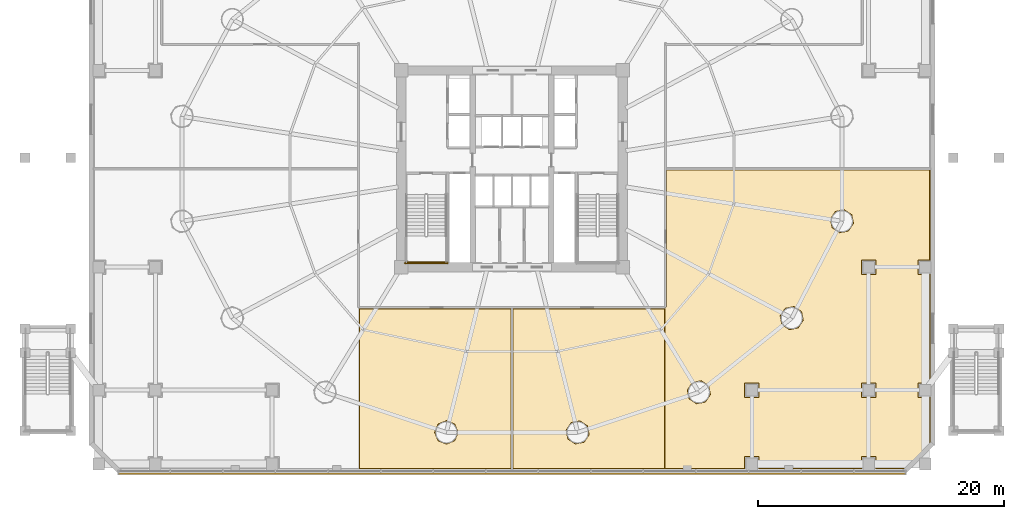
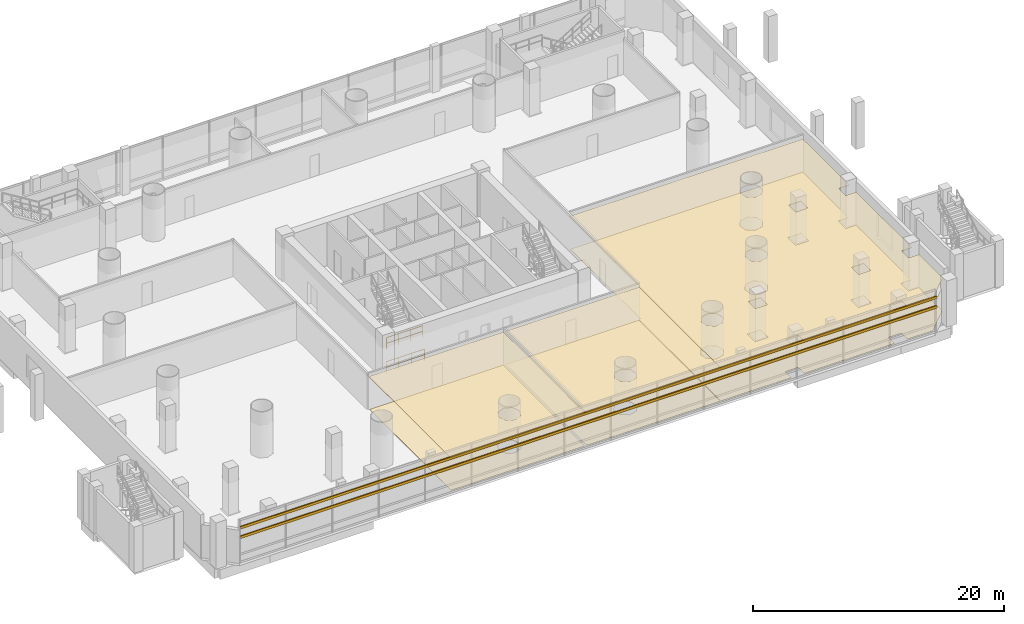
# One storey, part 28 of 36: 6 coverings, 2 railings, 2 shading devices.
"""IFC4 building model written with IfcOpenShell, lengths in metres."""

from ifc_helpers import new_model, si_unit, direction, frame, origin, origin_2d, place, context, subcontext, project, spatial, polyline, rectangle, hollow_rectangle, outline, extrude, source, transform, mapped, material, layer, layer_set, material_profile, profile_set, type_object, element, save


model = new_model("IFC4")

# Units and contexts
model_context = context("Model", 3, precision=1e-05, world=origin(), true_north=direction((-0.2419218956, 0.970295726276)))
body_context = subcontext(model_context, "Body", "Model", "MODEL_VIEW")
ifc_project = project(units=[si_unit("LENGTHUNIT", "METRE"), si_unit("AREAUNIT", "SQUARE_METRE"), si_unit("VOLUMEUNIT", "CUBIC_METRE"), si_unit("PLANEANGLEUNIT", "RADIAN"), si_unit("MASSUNIT", "GRAM", prefix="KILO")], contexts=[model_context])

# Site, building, storey
site_placement = place(None, origin())
site = spatial("IfcSite", under=ifc_project, at=site_placement, CompositionType="ELEMENT")
building_placement = place(site_placement, origin())
building = spatial("IfcBuilding", under=site, at=building_placement, Name="Cobrevalo Terracotta Tower", CompositionType="ELEMENT")
storey_placement = place(building_placement, frame((0.0, 0.0, 9.89990234375)))
storey = spatial("IfcBuildingStorey", under=building, at=storey_placement, Name="L02", CompositionType="ELEMENT", Elevation=9.89990234375)

# Coverings
ifc_material_1 = material(Name="Honed terracotta and granite tile", Category="masonry")
ifc_layer_1 = layer(ifc_material_1, 0.034912109375)
ifc_layer_set_1 = layer_set([ifc_layer_1], Name="Honed terracotta and granite tile")
covering_type_1 = type_object("IfcCoveringType", Name="Honed Terracotta & Granite Interior Flooring 35", PredefinedType="FLOORING", material=ifc_layer_set_1)
covering_1_placement = place(storey_placement, origin())
element("IfcCovering", 1, at=covering_1_placement, inside=storey, type_object=covering_type_1, Name="L02 Architecture Library floor finish", PredefinedType="FLOORING", context=body_context, shape_type="SweptSolid", body=[
    extrude(outline(polyline([(69.921630859375, 2.43994140625), (67.60009765625, 2.43994140625), (67.60009765625, 3.39990234375), (66.39990234375, 3.39990234375), (66.39990234375, 2.43994140625), (58.10009765625, 2.43994140625), (58.10009765625, 3.39990234375), (56.89990234375, 3.39990234375), (56.89990234375, 2.43994140625), (50.419921875, 2.43994140625), (50.419921875, 15.423583984375), (50.580078125, 15.59814453125), (50.580078125, 26.699951171875), (71.9599609375, 26.699951171875), (71.9599609375, 19.39990234375), (71.0, 19.39990234375), (71.0, 18.199951171875), (71.9599609375, 18.199951171875), (71.9599609375, 9.39990234375), (71.0, 9.39990234375), (71.0, 8.199951171875), (71.9599609375, 8.199951171875), (71.9599609375, 4.478271484375), (69.921630859375, 2.43994140625)]), holes=[polyline([(66.39990234375, 9.39990234375), (66.39990234375, 8.199951171875), (67.60009765625, 8.199951171875), (67.60009765625, 9.39990234375), (66.39990234375, 9.39990234375)]), polyline([(66.39990234375, 19.39990234375), (66.39990234375, 18.199951171875), (67.60009765625, 18.199951171875), (67.60009765625, 19.39990234375), (66.39990234375, 19.39990234375)]), polyline([(65.35791015625, 21.739013671875), (65.76611328125, 22.349853515625), (65.622802734375, 23.07080078125), (65.01171875, 23.47900390625), (64.291015625, 23.33544921875), (63.8828125, 22.724609375), (64.026123046875, 22.00390625), (64.63720703125, 21.595703125), (65.35791015625, 21.739013671875)]), polyline([(61.274169921875, 13.862548828125), (61.682373046875, 14.473388671875), (61.5390625, 15.194091796875), (60.927978515625, 15.6025390625), (60.207275390625, 15.458984375), (59.799072265625, 14.84814453125), (59.9423828125, 14.12744140625), (60.553466796875, 13.71923828125), (61.274169921875, 13.862548828125)]), polyline([(56.89990234375, 9.39990234375), (56.89990234375, 8.199951171875), (58.10009765625, 8.199951171875), (58.10009765625, 9.39990234375), (56.89990234375, 9.39990234375)]), polyline([(53.728271484375, 7.833984375), (54.136474609375, 8.445068359375), (53.9931640625, 9.165771484375), (53.382080078125, 9.573974609375), (52.661376953125, 9.4306640625), (52.253173828125, 8.819580078125), (52.396484375, 8.098876953125), (53.007568359375, 7.690673828125), (53.728271484375, 7.833984375)])]), origin(), (0.0, 0.0, 1.0), 0.030029296875),
])
covering_2_placement = place(storey_placement, origin())
element("IfcCovering", 2, at=covering_2_placement, inside=storey, type_object=covering_type_1, Name="L02 Business Lounge floor finish", PredefinedType="FLOORING", context=body_context, shape_type="SweptSolid", body=[
    extrude(outline(polyline([(25.6201171875, 15.419921875), (37.89990234375, 15.419921875), (37.89990234375, 2.43994140625), (25.6201171875, 2.43994140625), (25.6201171875, 15.419921875)]), holes=[polyline([(33.34326171875, 4.69091796875), (33.624267578125, 5.369873046875), (33.34326171875, 6.048828125), (32.664306640625, 6.329833984375), (31.9853515625, 6.048828125), (31.7041015625, 5.369873046875), (31.9853515625, 4.69091796875), (32.664306640625, 4.40966796875), (33.34326171875, 4.69091796875)])]), origin(), (0.0, 0.0, 1.0), 0.030029296875),
])
covering_3_placement = place(storey_placement, origin())
element("IfcCovering", 3, at=covering_3_placement, inside=storey, type_object=covering_type_1, Name="L02 Archive Copy Room floor finish", PredefinedType="FLOORING", context=body_context, shape_type="SweptSolid", body=[
    extrude(outline(polyline([(38.10009765625, 15.419921875), (50.3798828125, 15.419921875), (50.3798828125, 2.43994140625), (38.10009765625, 2.43994140625), (38.10009765625, 15.419921875)]), holes=[polyline([(43.869140625, 4.571533203125), (44.27734375, 5.1826171875), (44.134033203125, 5.9033203125), (43.52294921875, 6.3115234375), (42.80224609375, 6.168212890625), (42.39404296875, 5.55712890625), (42.537353515625, 4.83642578125), (43.1484375, 4.42822265625), (43.869140625, 4.571533203125)])]), origin(), (0.0, 0.0, 1.0), 0.030029296875),
])
ifc_material_2 = material(Name="Acoustic perforated gypsum ceiling", Category="gypsum")
ifc_layer_2 = layer(ifc_material_2, 0.050048828125)
ifc_layer_set_2 = layer_set([ifc_layer_2], Name="Acoustic perforated gypsum ceiling")
covering_type_2 = type_object("IfcCoveringType", Name="Perforated Acoustic Gypsum Ceiling 50", PredefinedType="CEILING", material=ifc_layer_set_2)
covering_4_placement = place(storey_placement, frame((0.0, 0.0, 3.16015625)))
element("IfcCovering", 4, at=covering_4_placement, inside=storey, type_object=covering_type_2, Name="L02 Architecture Library acoustic ceiling", PredefinedType="CEILING", context=body_context, shape_type="SweptSolid", body=[
    extrude(outline(polyline([(69.9404296875, 2.39501953125), (67.554931640625, 2.39501953125), (67.554931640625, 3.35498046875), (66.445068359375, 3.35498046875), (66.445068359375, 2.39501953125), (58.054931640625, 2.39501953125), (58.054931640625, 3.35498046875), (56.945068359375, 3.35498046875), (56.945068359375, 2.39501953125), (50.375, 2.39501953125), (50.375, 15.46044921875), (50.534912109375, 15.6025390625), (50.534912109375, 26.7451171875), (72.0048828125, 26.7451171875), (72.0048828125, 19.35498046875), (71.044921875, 19.35498046875), (71.044921875, 18.2451171875), (72.0048828125, 18.2451171875), (72.0048828125, 9.35498046875), (71.044921875, 9.35498046875), (71.044921875, 8.2451171875), (72.0048828125, 8.2451171875), (72.0048828125, 4.459716796875), (69.9404296875, 2.39501953125)]), holes=[polyline([(66.445068359375, 9.35498046875), (66.445068359375, 8.2451171875), (67.554931640625, 8.2451171875), (67.554931640625, 9.35498046875), (66.445068359375, 9.35498046875)]), polyline([(66.445068359375, 19.35498046875), (66.445068359375, 18.2451171875), (67.554931640625, 18.2451171875), (67.554931640625, 19.35498046875), (66.445068359375, 19.35498046875)]), polyline([(65.332763671875, 21.776611328125), (65.7216796875, 22.35888671875), (65.585205078125, 23.045654296875), (65.0029296875, 23.4345703125), (64.316162109375, 23.2978515625), (63.92724609375, 22.7158203125), (64.063720703125, 22.029052734375), (64.64599609375, 21.639892578125), (65.332763671875, 21.776611328125)]), polyline([(61.2490234375, 13.900146484375), (61.637939453125, 14.482421875), (61.50146484375, 15.169189453125), (60.919189453125, 15.55810546875), (60.232421875, 15.42138671875), (59.843505859375, 14.83935546875), (59.97998046875, 14.152587890625), (60.562255859375, 13.763427734375), (61.2490234375, 13.900146484375)]), polyline([(56.945068359375, 9.35498046875), (56.945068359375, 8.2451171875), (58.054931640625, 8.2451171875), (58.054931640625, 9.35498046875), (56.945068359375, 9.35498046875)]), polyline([(53.703125, 7.87158203125), (54.092041015625, 8.453857421875), (53.95556640625, 9.140625), (53.373291015625, 9.52978515625), (52.6865234375, 9.39306640625), (52.297607421875, 8.810791015625), (52.43408203125, 8.1240234375), (53.016357421875, 7.735107421875), (53.703125, 7.87158203125)])]), origin(), (0.0, 0.0, 1.0), 0.050048828125),
])
covering_5_placement = place(storey_placement, frame((0.0, 0.0, 3.16015625)))
element("IfcCovering", 5, at=covering_5_placement, inside=storey, type_object=covering_type_2, Name="L02 Business Lounge acoustic ceiling", PredefinedType="CEILING", context=body_context, shape_type="SweptSolid", body=[
    extrude(outline(polyline([(25.574951171875, 15.465087890625), (37.945068359375, 15.465087890625), (37.945068359375, 2.39501953125), (25.574951171875, 2.39501953125), (25.574951171875, 15.465087890625)]), holes=[polyline([(33.311279296875, 4.722900390625), (33.5791015625, 5.369873046875), (33.311279296875, 6.016845703125), (32.664306640625, 6.28466796875), (32.017333984375, 6.016845703125), (31.74951171875, 5.369873046875), (32.017333984375, 4.722900390625), (32.664306640625, 4.455078125), (33.311279296875, 4.722900390625)])]), origin(), (0.0, 0.0, 1.0), 0.050048828125),
])
covering_6_placement = place(storey_placement, frame((0.0, 0.0, 3.16015625)))
element("IfcCovering", 6, at=covering_6_placement, inside=storey, type_object=covering_type_2, Name="L02 Archive Copy Room acoustic ceiling", PredefinedType="CEILING", context=body_context, shape_type="SweptSolid", body=[
    extrude(outline(polyline([(38.054931640625, 15.465087890625), (50.425048828125, 15.465087890625), (50.425048828125, 2.39501953125), (38.054931640625, 2.39501953125), (38.054931640625, 15.465087890625)]), holes=[polyline([(43.843994140625, 4.609130859375), (44.23291015625, 5.19140625), (44.096435546875, 5.878173828125), (43.51416015625, 6.26708984375), (42.827392578125, 6.130615234375), (42.4384765625, 5.54833984375), (42.574951171875, 4.861572265625), (43.1572265625, 4.47265625), (43.843994140625, 4.609130859375)])]), origin(), (0.0, 0.0, 1.0), 0.050048828125),
])

# Railings
ifc_material_3 = material(Name="Painted galvanized steel", Category="steel")
railing_type = type_object("IfcRailingType", Name="Stair Well Guard Balustrade 1150", PredefinedType="GUARDRAIL", material=ifc_material_3)
railing_1_placement = place(storey_placement, frame((29.375, 19.22509765625, 2.25)))
element("IfcRailing", 7, at=railing_1_placement, inside=storey, type_object=railing_type, Name="L02 ST-1 stair guard 5", PredefinedType="GUARDRAIL", context=body_context, shape_type="SweptSolid", body=[
    extrude(rectangle(XDim=0.048095703125, YDim=0.048095703125, at=origin_2d()), frame((0.0, 0.0, 1.1259765625), z_axis=(1.0, 0.0, 0.0), x_axis=(0.0, 1.0, 0.0)), (0.0, 0.0, 1.0), 3.320068359375),
    extrude(rectangle(XDim=0.048095703125, YDim=0.048095703125, at=origin_2d()), frame((0.0, 0.0, 0.574951171875), z_axis=(1.0, 0.0, 0.0), x_axis=(0.0, 1.0, 0.0)), (0.0, 0.0, 1.0), 3.320068359375),
    extrude(rectangle(XDim=0.0419921875, YDim=0.0419921875, at=origin_2d()), origin(), (0.0, 0.0, 1.0), 1.101806640625),
    extrude(rectangle(XDim=0.0419921875, YDim=0.0419921875, at=origin_2d()), frame((1.106689453125, 0.0, 0.0)), (0.0, 0.0, 1.0), 1.101806640625),
    extrude(rectangle(XDim=0.0419921875, YDim=0.0419921875, at=origin_2d()), frame((2.21337890625, 0.0, 0.0)), (0.0, 0.0, 1.0), 1.101806640625),
    extrude(rectangle(XDim=0.0419921875, YDim=0.0419921875, at=origin_2d()), frame((3.320068359375, 0.0, 0.0)), (0.0, 0.0, 1.0), 1.101806640625),
])
railing_2_placement = place(storey_placement, frame((29.27490234375, 19.125, 0.0)))
element("IfcRailing", 8, at=railing_2_placement, inside=storey, type_object=railing_type, Name="L02 ST-1 stair guard 12", PredefinedType="GUARDRAIL", context=body_context, shape_type="SweptSolid", body=[
    extrude(rectangle(XDim=0.048095703125, YDim=0.048095703125, at=origin_2d()), frame((0.0, 0.0, 1.1259765625), z_axis=(1.0, 0.0, 0.0), x_axis=(0.0, 1.0, 0.0)), (0.0, 0.0, 1.0), 3.52001953125),
    extrude(rectangle(XDim=0.048095703125, YDim=0.048095703125, at=origin_2d()), frame((0.0, 0.0, 0.574951171875), z_axis=(1.0, 0.0, 0.0), x_axis=(0.0, 1.0, 0.0)), (0.0, 0.0, 1.0), 3.52001953125),
    extrude(rectangle(XDim=0.0419921875, YDim=0.0419921875, at=origin_2d()), origin(), (0.0, 0.0, 1.0), 1.101806640625),
    extrude(rectangle(XDim=0.0419921875, YDim=0.0419921875, at=origin_2d()), frame((1.17333984375, 0.0, 0.0)), (0.0, 0.0, 1.0), 1.101806640625),
    extrude(rectangle(XDim=0.0419921875, YDim=0.0419921875, at=origin_2d()), frame((2.3466796875, 0.0, 0.0)), (0.0, 0.0, 1.0), 1.101806640625),
    extrude(rectangle(XDim=0.0419921875, YDim=0.0419921875, at=origin_2d()), frame((3.52001953125, 0.0, 0.0)), (0.0, 0.0, 1.0), 1.101806640625),
])

# Shading devices
ifc_material_4 = material(Name="Extruded fired architectural terracotta", Category="masonry")
ifc_material_profile = material_profile(ifc_material_4, hollow_rectangle(XDim=0.110107421875, YDim=0.239990234375, WallThickness=0.01806640625, at=origin_2d()), Name="BAGUETTE 110x240")
ifc_profile_set = profile_set([ifc_material_profile], Name="Extruded fired architectural terracotta")
shading_device_type = type_object("IfcShadingDeviceType", Name="Horizontal Terracotta Baguette Screen 110x240", PredefinedType="USERDEFINED", material=ifc_profile_set)
shared_shape = source(origin(), body_context, "Body", "SweptSolid", [
    extrude(hollow_rectangle(XDim=0.110107421875, YDim=0.239990234375, WallThickness=0.01806640625, at=origin_2d()), origin(), (0.0, 0.0, 1.0), 64.02001953125),
])
for number, where, z_axis, x_axis, name in (
    (9, (5.989990234375, 2.02001953125, 2.60400390625), (1.0, 0.0, 0.0), (0.0, 1.0, 0.0), "CW-POD-L02-S horizontal terracotta baguette 1"),
    (10, (5.989990234375, 2.02001953125, 3.528076171875), (1.0, 0.0, 0.0), (0.0, 1.0, 0.0), "CW-POD-L02-S horizontal terracotta baguette 2"),
):
    element("IfcShadingDevice", number, at=place(storey_placement, frame(where, z_axis=z_axis, x_axis=x_axis)), inside=storey, type_object=shading_device_type, Name=name, ObjectType="BAGUETTE", PredefinedType="USERDEFINED", context=body_context, shape_type="MappedRepresentation", body=[
        mapped(shared_shape, transform((0.0, 0.0, 0.0), scale=1.0)),
    ])

save(model, "model.ifc")
